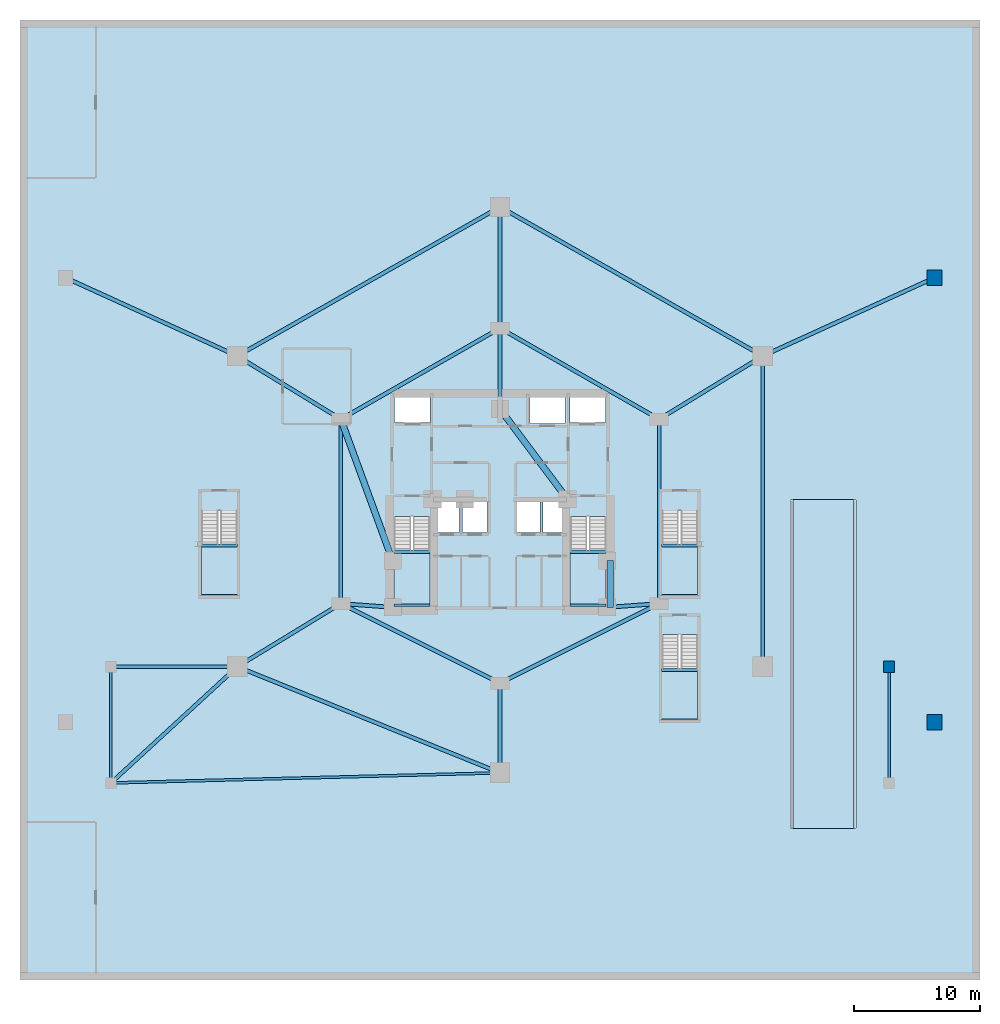
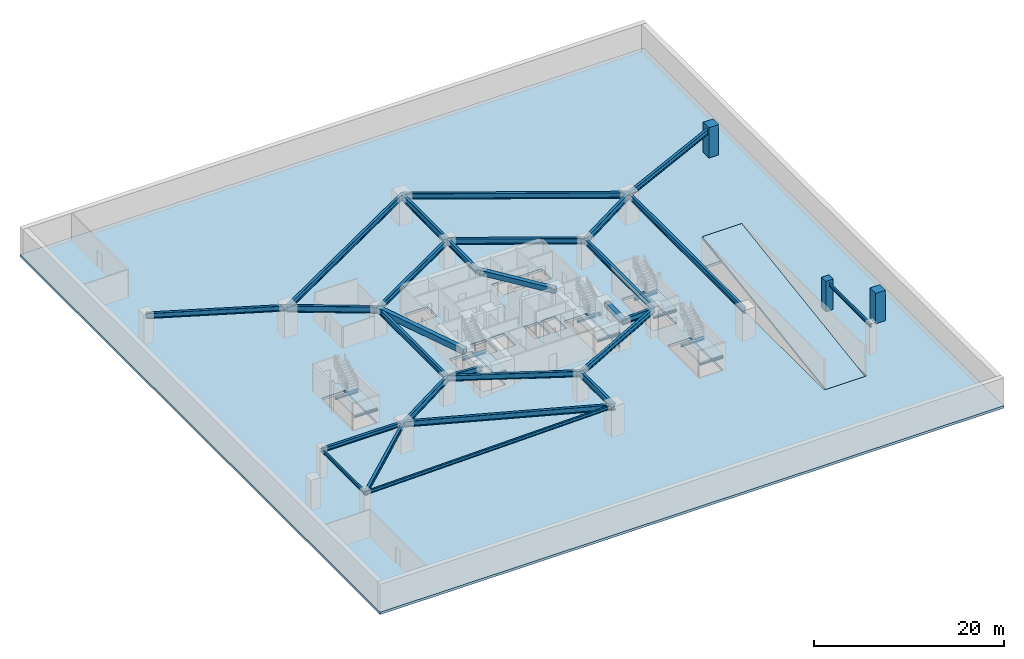
# One storey, part 4 of 12: 38 beams, 7 slabs, 3 columns, 5 elements without a shape of their own.
"""IFC4 building model written with IfcOpenShell, lengths in metres."""

from ifc_helpers import new_model, si_unit, direction, frame, origin, origin_2d, place, context, subcontext, project, spatial, polyline, rectangle, i_section, outline, extrude, material, layer, layer_set, material_profile, profile_set, type_object, element, aggregate, save


model = new_model("IFC4")

# Units and contexts
model_context = context("Model", 3, precision=1e-05, world=origin(), true_north=direction((0.0, 1.0)))
body_context = subcontext(model_context, "Body", "Model", "MODEL_VIEW")
ifc_project = project(units=[si_unit("LENGTHUNIT", "METRE"), si_unit("AREAUNIT", "SQUARE_METRE"), si_unit("VOLUMEUNIT", "CUBIC_METRE"), si_unit("PLANEANGLEUNIT", "RADIAN"), si_unit("MASSUNIT", "GRAM", prefix="KILO")], contexts=[model_context])

# Site, building, storey
site_placement = place(None, origin())
site = spatial("IfcSite", under=ifc_project, at=site_placement, CompositionType="ELEMENT")
building_placement = place(site_placement, origin())
building = spatial("IfcBuilding", under=site, at=building_placement, Name="Miruveldt Soraemaru", CompositionType="ELEMENT")
storey_placement = place(building_placement, frame((0.0, 0.0, -7.800048828125)))
storey = spatial("IfcBuildingStorey", under=building, at=storey_placement, Name="B2", CompositionType="ELEMENT", Elevation=-7.800048828125)

# Columns
ifc_material_1 = material(Name="Concrete C70/85 (70 MPa)", Category="concrete")
ifc_material_profile_1 = material_profile(ifc_material_1, rectangle(XDim=1.199951171875, YDim=1.199951171875, at=origin_2d()), Name="Concrete C70/85 (70 MPa)", Category="concrete")
ifc_profile_set_1 = profile_set([ifc_material_profile_1], Name="Concrete C70/85 (70 MPa)")
column_type_1 = type_object("IfcColumnType", Name="COL-CORE-1200", PredefinedType="COLUMN", material=ifc_profile_set_1)
for number, where, z_axis, x_axis, name in (
    (1, (78.39990234375, 26.39990234375, 0.0), (0.0, 0.0, 1.0), (1.0, 0.0, 0.0), "B2 Structural Column BC3"),
    (2, (78.39990234375, 61.60009765625, 0.0), (0.0, 0.0, 1.0), (1.0, 0.0, 0.0), "B2 Structural Column BC4"),
):
    element("IfcColumn", number, at=place(storey_placement, frame(where, z_axis=z_axis, x_axis=x_axis)), inside=storey, type_object=column_type_1, Name=name, PredefinedType="COLUMN", context=body_context, shape_type="SweptSolid", body=[
        extrude(rectangle(XDim=1.199951171875, YDim=1.199951171875, at=origin_2d()), origin(), (0.0, 0.0, 1.0), 3.900146484375),
    ])
ifc_material_2 = material(Name="Concrete C50/60 (50 MPa)", Category="concrete")
ifc_material_profile_2 = material_profile(ifc_material_2, rectangle(XDim=0.89990234375, YDim=0.89990234375, at=origin_2d()), Name="Concrete C50/60 (50 MPa)", Category="concrete")
ifc_profile_set_2 = profile_set([ifc_material_profile_2], Name="Concrete C50/60 (50 MPa)")
column_type_2 = type_object("IfcColumnType", Name="COL-CORE-900", PredefinedType="COLUMN", material=ifc_profile_set_2)
column_placement = place(storey_placement, frame((74.800048828125, 30.800048828125, 0.0), z_axis=(0.0, 0.0, 1.0), x_axis=(1.0, 0.0, 0.0)))
element("IfcColumn", 3, at=column_placement, inside=storey, type_object=column_type_2, Name="B2 Structural Column PF04", PredefinedType="COLUMN", context=body_context, shape_type="SweptSolid", body=[
    extrude(rectangle(XDim=0.89990234375, YDim=0.89990234375, at=origin_2d()), origin(), (0.0, 0.0, 1.0), 3.900146484375),
])

# Beams
ifc_material_profile_3 = material_profile(ifc_material_2, rectangle(XDim=0.5, YDim=0.64990234375, at=origin_2d()), Name="Concrete C50/60 (50 MPa)", Category="concrete")
ifc_profile_set_3 = profile_set([ifc_material_profile_3], Name="Concrete C50/60 (50 MPa)")
beam_type_1 = type_object("IfcBeamType", Name="BM-RC-500x650", PredefinedType="BEAM", material=ifc_profile_set_3)
beam_1_placement = place(storey_placement, frame((52.72998046875, 35.5, 3.255126953125), z_axis=(0.0, 1.0, 0.0), x_axis=(-1.0, 0.0, 0.0)))
element("IfcBeam", 4, at=beam_1_placement, inside=storey, type_object=beam_type_1, Name="B2 Core Tie Beam 3", PredefinedType="BEAM", context=body_context, shape_type="SweptSolid", body=[
    extrude(rectangle(XDim=0.5, YDim=0.64990234375, at=origin_2d()), origin(), (0.0, 0.0, 1.0), 3.699951171875),
])
beam_2_placement = place(storey_placement, frame((49.35009765625, 44.050048828125, 3.255126953125), z_axis=(-0.599116023999, 0.800662219533, 0.0), x_axis=(-0.800662219533, -0.599116023999, 0.0)))
element("IfcBeam", 5, at=beam_2_placement, inside=storey, type_object=beam_type_1, Name="B2 Core Tie Beam 5", PredefinedType="BEAM", context=body_context, shape_type="SweptSolid", body=[
    extrude(rectangle(XDim=0.5, YDim=0.64990234375, at=origin_2d()), origin(), (0.0, 0.0, 1.0), 8.929931640625),
])
ifc_material_3 = material(Name="Concrete C40/50 (40 MPa)", Category="concrete")
ifc_material_profile_4 = material_profile(ifc_material_3, rectangle(XDim=0.5, YDim=0.75, at=origin_2d()), Name="Concrete C40/50 (40 MPa)", Category="concrete")
ifc_profile_set_4 = profile_set([ifc_material_profile_4], Name="Concrete C40/50 (40 MPa)")
beam_type_2 = type_object("IfcBeamType", Name="BM-RC-500x750", PredefinedType="LINTEL", material=ifc_profile_set_4)
beam_3_placement = place(storey_placement, frame((31.39990234375, 50.39990234375, 3.205078125), z_axis=(0.343770424598, -0.939053723262, 0.0), x_axis=(0.939053723262, 0.343770424598, 0.0)))
element("IfcBeam", 6, at=beam_3_placement, inside=storey, type_object=beam_type_2, Name="B2 West Lobby Lintel", PredefinedType="LINTEL", context=body_context, shape_type="SweptSolid", body=[
    extrude(rectangle(XDim=0.5, YDim=0.75, at=origin_2d()), origin(), (0.0, 0.0, 1.0), 11.9267578125),
])
ifc_material_4 = material(Name="Steel SM355 (355 MPa)", Category="steel")
ifc_material_profile_5 = material_profile(ifc_material_4, i_section(OverallWidth=0.199951171875, OverallDepth=0.39990234375, WebThickness=0.008056640625, FlangeThickness=0.012939453125, FilletRadius=0.01611328125, at=origin_2d()), Name="Steel SM355 (355 MPa)", Category="steel")
ifc_profile_set_5 = profile_set([ifc_material_profile_5], Name="Steel SM355 (355 MPa)")
beam_type_3 = type_object("IfcBeamType", Name="BM-ST-H400", PredefinedType="JOIST", material=ifc_profile_set_5)
beam_4_placement = place(storey_placement, frame((13.199951171875, 30.800048828125, 3.380126953125), z_axis=(0.0, -1.0, 0.0), x_axis=(1.0, 0.0, 0.0)))
element("IfcBeam", 7, at=beam_4_placement, inside=storey, type_object=beam_type_3, Name="B2 Podium West Bay Edge Beam", PredefinedType="JOIST", context=body_context, shape_type="SweptSolid", body=[
    extrude(i_section(OverallWidth=0.199951171875, OverallDepth=0.39990234375, WebThickness=0.008056640625, FlangeThickness=0.012939453125, FilletRadius=0.01611328125, at=origin_2d()), origin(), (0.0, 0.0, 1.0), 9.199951171875),
])
beam_5_placement = place(storey_placement, frame((13.199951171875, 21.60009765625, 3.380126953125), z_axis=(0.999663011165, 0.025958892686, 0.0), x_axis=(-0.025958892686, 0.999663011165, 0.0)))
element("IfcBeam", 8, at=beam_5_placement, inside=storey, type_object=beam_type_3, Name="B2 Podium South-West Tie Beam", PredefinedType="JOIST", context=body_context, shape_type="SweptSolid", body=[
    extrude(i_section(OverallWidth=0.199951171875, OverallDepth=0.39990234375, WebThickness=0.008056640625, FlangeThickness=0.012939453125, FilletRadius=0.01611328125, at=origin_2d()), origin(), (0.0, 0.0, 1.0), 30.810546875),
])
beam_6_placement = place(storey_placement, frame((74.800048828125, 30.800048828125, 3.380126953125), z_axis=(0.0, -1.0, 0.0), x_axis=(1.0, 0.0, 0.0)))
element("IfcBeam", 9, at=beam_6_placement, inside=storey, type_object=beam_type_3, Name="B2 Podium East Bay Edge Beam", PredefinedType="JOIST", context=body_context, shape_type="SweptSolid", body=[
    extrude(i_section(OverallWidth=0.199951171875, OverallDepth=0.39990234375, WebThickness=0.008056640625, FlangeThickness=0.012939453125, FilletRadius=0.01611328125, at=origin_2d()), origin(), (0.0, 0.0, 1.0), 9.199951171875),
])
ifc_material_profile_6 = material_profile(ifc_material_4, i_section(OverallWidth=0.300048828125, OverallDepth=0.488037109375, WebThickness=0.010986328125, FlangeThickness=0.01806640625, FilletRadius=0.02587890625, at=origin_2d()), Name="Steel SM355 (355 MPa)", Category="steel")
ifc_profile_set_6 = profile_set([ifc_material_profile_6], Name="Steel SM355 (355 MPa)")
beam_type_4 = type_object("IfcBeamType", Name="BM-ST-H488", PredefinedType="BEAM", material=ifc_profile_set_6)
beam_7_placement = place(storey_placement, frame((23.199951171875, 30.800048828125, 3.3359375), z_axis=(-1.0, 0.0, 0.0), x_axis=(0.0, -1.0, 0.0)))
element("IfcBeam", 10, at=beam_7_placement, inside=storey, type_object=beam_type_4, Name="B2 Podium West Bay Girder 1", PredefinedType="BEAM", context=body_context, shape_type="SweptSolid", body=[
    extrude(i_section(OverallWidth=0.300048828125, OverallDepth=0.488037109375, WebThickness=0.010986328125, FlangeThickness=0.01806640625, FilletRadius=0.02587890625, at=origin_2d()), origin(), (0.0, 0.0, 1.0), 10.0),
])
beam_8_placement = place(storey_placement, frame((13.199951171875, 21.60009765625, 3.3359375), z_axis=(0.735932802242, 0.677054584641, 0.0), x_axis=(-0.677054584641, 0.735932802242, 0.0)))
element("IfcBeam", 11, at=beam_8_placement, inside=storey, type_object=beam_type_4, Name="B2 Podium West Bay Tie Girder", PredefinedType="BEAM", context=body_context, shape_type="SweptSolid", body=[
    extrude(i_section(OverallWidth=0.300048828125, OverallDepth=0.488037109375, WebThickness=0.010986328125, FlangeThickness=0.01806640625, FilletRadius=0.02587890625, at=origin_2d()), origin(), (0.0, 0.0, 1.0), 13.588134765625),
])
ifc_material_profile_7 = material_profile(ifc_material_4, i_section(OverallWidth=0.300048828125, OverallDepth=0.64990234375, WebThickness=0.012939453125, FlangeThickness=0.02197265625, FilletRadius=0.02587890625, at=origin_2d()), Name="Steel SM355 (355 MPa)", Category="steel")
ifc_profile_set_7 = profile_set([ifc_material_profile_7], Name="Steel SM355 (355 MPa)")
beam_type_5 = type_object("IfcBeamType", Name="BM-ST-H650", PredefinedType="BEAM", material=ifc_profile_set_7)
for number, where, z_axis, x_axis, name in (
    (12, (23.199951171875, 55.39990234375, 3.255126953125), (-0.909901047337, 0.414825365733, 0.0), (-0.414825365733, -0.909901047337, 0.0), "B2 Basement Outer Girder 2"),
    (13, (64.800048828125, 55.39990234375, 3.255126953125), (0.909901047337, 0.414825365733, 0.0), (-0.414825365733, 0.909901047337, 0.0), "B2 Basement Outer Girder 4"),
):
    element("IfcBeam", number, at=place(storey_placement, frame(where, z_axis=z_axis, x_axis=x_axis)), inside=storey, type_object=beam_type_5, Name=name, PredefinedType="BEAM", context=body_context, shape_type="SweptSolid", body=[
        extrude(i_section(OverallWidth=0.300048828125, OverallDepth=0.64990234375, WebThickness=0.012939453125, FlangeThickness=0.02197265625, FilletRadius=0.02587890625, at=origin_2d()), origin(), (0.0, 0.0, 1.0), 14.946533203125),
    ])
ifc_material_profile_8 = material_profile(ifc_material_4, i_section(OverallWidth=0.300048828125, OverallDepth=0.699951171875, WebThickness=0.012939453125, FlangeThickness=0.02392578125, FilletRadius=0.028076171875, at=origin_2d()), Name="Steel SM355 (355 MPa)", Category="steel")
ifc_profile_set_8 = profile_set([ifc_material_profile_8], Name="Steel SM355 (355 MPa)")
beam_type_6 = type_object("IfcBeamType", Name="BM-ST-H700", PredefinedType="BEAM", material=ifc_profile_set_8)
beam_9_placement = place(storey_placement, frame((44.0, 57.60009765625, 3.22998046875), z_axis=(0.868239001029, -0.496146185203, 0.0), x_axis=(0.496146185203, 0.868239001029, 0.0)))
element("IfcBeam", 14, at=beam_9_placement, inside=storey, type_object=beam_type_6, Name="B2 Inner Ring Girder 1", PredefinedType="BEAM", context=body_context, shape_type="SweptSolid", body=[
    extrude(i_section(OverallWidth=0.300048828125, OverallDepth=0.699951171875, WebThickness=0.012939453125, FlangeThickness=0.02392578125, FilletRadius=0.028076171875, at=origin_2d()), origin(), (0.0, 0.0, 1.0), 14.51220703125),
])
beam_10_placement = place(storey_placement, frame((44.0, 51.199951171875, 3.22998046875), z_axis=(0.0, 1.0, 0.0), x_axis=(-1.0, 0.0, 0.0)))
element("IfcBeam", 15, at=beam_10_placement, inside=storey, type_object=beam_type_6, Name="B2 Core-to-Inner Radial Girder 1", PredefinedType="BEAM", context=body_context, shape_type="SweptSolid", body=[
    extrude(i_section(OverallWidth=0.300048828125, OverallDepth=0.699951171875, WebThickness=0.012939453125, FlangeThickness=0.02392578125, FilletRadius=0.028076171875, at=origin_2d()), origin(), (0.0, 0.0, 1.0), 6.400146484375),
])
beam_11_placement = place(storey_placement, frame((56.60009765625, 50.39990234375, 3.22998046875), z_axis=(0.0, -1.0, 0.0), x_axis=(1.0, 0.0, 0.0)))
element("IfcBeam", 16, at=beam_11_placement, inside=storey, type_object=beam_type_6, Name="B2 Inner Ring Girder 2", PredefinedType="BEAM", context=body_context, shape_type="SweptSolid", body=[
    extrude(i_section(OverallWidth=0.300048828125, OverallDepth=0.699951171875, WebThickness=0.012939453125, FlangeThickness=0.02392578125, FilletRadius=0.028076171875, at=origin_2d()), origin(), (0.0, 0.0, 1.0), 14.599853515625),
])
beam_12_placement = place(storey_placement, frame((56.60009765625, 35.800048828125, 3.22998046875), z_axis=(-0.894427191, -0.4472135955, 0.0), x_axis=(0.4472135955, -0.894427191, 0.0)))
element("IfcBeam", 17, at=beam_12_placement, inside=storey, type_object=beam_type_6, Name="B2 Inner Ring Girder 3", PredefinedType="BEAM", context=body_context, shape_type="SweptSolid", body=[
    extrude(i_section(OverallWidth=0.300048828125, OverallDepth=0.699951171875, WebThickness=0.012939453125, FlangeThickness=0.02392578125, FilletRadius=0.028076171875, at=origin_2d()), origin(), (0.0, 0.0, 1.0), 14.08740234375),
])
beam_13_placement = place(storey_placement, frame((52.5, 35.5, 3.22998046875), z_axis=(0.997332985605, 0.072985723431, 0.0), x_axis=(-0.072985723431, 0.997332985605, 0.0)))
element("IfcBeam", 18, at=beam_13_placement, inside=storey, type_object=beam_type_6, Name="B2 Core-to-Inner Radial Girder 3", PredefinedType="BEAM", context=body_context, shape_type="SweptSolid", body=[
    extrude(i_section(OverallWidth=0.300048828125, OverallDepth=0.699951171875, WebThickness=0.012939453125, FlangeThickness=0.02392578125, FilletRadius=0.028076171875, at=origin_2d()), origin(), (0.0, 0.0, 1.0), 4.111083984375),
])
beam_14_placement = place(storey_placement, frame((44.0, 29.5, 3.22998046875), z_axis=(-0.894427191, 0.4472135955, 0.0), x_axis=(-0.4472135955, -0.894427191, 0.0)))
element("IfcBeam", 19, at=beam_14_placement, inside=storey, type_object=beam_type_6, Name="B2 Inner Ring Girder 4", PredefinedType="BEAM", context=body_context, shape_type="SweptSolid", body=[
    extrude(i_section(OverallWidth=0.300048828125, OverallDepth=0.699951171875, WebThickness=0.012939453125, FlangeThickness=0.02392578125, FilletRadius=0.028076171875, at=origin_2d()), origin(), (0.0, 0.0, 1.0), 14.08740234375),
])
beam_15_placement = place(storey_placement, frame((31.39990234375, 35.800048828125, 3.22998046875), z_axis=(0.0, 1.0, 0.0), x_axis=(-1.0, 0.0, 0.0)))
element("IfcBeam", 20, at=beam_15_placement, inside=storey, type_object=beam_type_6, Name="B2 Inner Ring Girder 5", PredefinedType="BEAM", context=body_context, shape_type="SweptSolid", body=[
    extrude(i_section(OverallWidth=0.300048828125, OverallDepth=0.699951171875, WebThickness=0.012939453125, FlangeThickness=0.02392578125, FilletRadius=0.028076171875, at=origin_2d()), origin(), (0.0, 0.0, 1.0), 14.599853515625),
])
beam_16_placement = place(storey_placement, frame((35.5, 35.5, 3.22998046875), z_axis=(-0.997332985605, 0.072985723431, 0.0), x_axis=(-0.072985723431, -0.997332985605, 0.0)))
element("IfcBeam", 21, at=beam_16_placement, inside=storey, type_object=beam_type_6, Name="B2 Core-to-Inner Radial Girder 5", PredefinedType="BEAM", context=body_context, shape_type="SweptSolid", body=[
    extrude(i_section(OverallWidth=0.300048828125, OverallDepth=0.699951171875, WebThickness=0.012939453125, FlangeThickness=0.02392578125, FilletRadius=0.028076171875, at=origin_2d()), origin(), (0.0, 0.0, 1.0), 4.111083984375),
])
beam_17_placement = place(storey_placement, frame((31.39990234375, 50.39990234375, 3.22998046875), z_axis=(0.868239001029, 0.496146185203, 0.0), x_axis=(-0.496146185203, 0.868239001029, 0.0)))
element("IfcBeam", 22, at=beam_17_placement, inside=storey, type_object=beam_type_6, Name="B2 Inner Ring Girder 6", PredefinedType="BEAM", context=body_context, shape_type="SweptSolid", body=[
    extrude(i_section(OverallWidth=0.300048828125, OverallDepth=0.699951171875, WebThickness=0.012939453125, FlangeThickness=0.02392578125, FilletRadius=0.028076171875, at=origin_2d()), origin(), (0.0, 0.0, 1.0), 14.51220703125),
])
beam_18_placement = place(storey_placement, frame((44.0, 67.199951171875, 3.22998046875), z_axis=(0.869782551993, -0.493435215858, 0.0), x_axis=(0.493435215858, 0.869782551993, 0.0)))
element("IfcBeam", 23, at=beam_18_placement, inside=storey, type_object=beam_type_6, Name="B2 Podium Ring Girder 1", PredefinedType="BEAM", context=body_context, shape_type="SweptSolid", body=[
    extrude(i_section(OverallWidth=0.300048828125, OverallDepth=0.699951171875, WebThickness=0.012939453125, FlangeThickness=0.02392578125, FilletRadius=0.028076171875, at=origin_2d()), origin(), (0.0, 0.0, 1.0), 23.9140625),
])
beam_19_placement = place(storey_placement, frame((64.800048828125, 55.39990234375, 3.22998046875), z_axis=(0.0, -1.0, 0.0), x_axis=(1.0, 0.0, 0.0)))
element("IfcBeam", 24, at=beam_19_placement, inside=storey, type_object=beam_type_6, Name="B2 Podium Ring Girder 2", PredefinedType="BEAM", context=body_context, shape_type="SweptSolid", body=[
    extrude(i_section(OverallWidth=0.300048828125, OverallDepth=0.699951171875, WebThickness=0.012939453125, FlangeThickness=0.02392578125, FilletRadius=0.028076171875, at=origin_2d()), origin(), (0.0, 0.0, 1.0), 24.599853515625),
])
beam_20_placement = place(storey_placement, frame((44.0, 22.39990234375, 3.22998046875), z_axis=(-0.927239874954, 0.374467908231, 0.0), x_axis=(-0.374467908231, -0.927239874954, 0.0)))
element("IfcBeam", 25, at=beam_20_placement, inside=storey, type_object=beam_type_6, Name="B2 Podium Ring Girder 4", PredefinedType="BEAM", context=body_context, shape_type="SweptSolid", body=[
    extrude(i_section(OverallWidth=0.300048828125, OverallDepth=0.699951171875, WebThickness=0.012939453125, FlangeThickness=0.02392578125, FilletRadius=0.028076171875, at=origin_2d()), origin(), (0.0, 0.0, 1.0), 22.43212890625),
])
beam_21_placement = place(storey_placement, frame((23.199951171875, 55.39990234375, 3.22998046875), z_axis=(0.869782551993, 0.493435215858, 0.0), x_axis=(-0.493435215858, 0.869782551993, 0.0)))
element("IfcBeam", 26, at=beam_21_placement, inside=storey, type_object=beam_type_6, Name="B2 Podium Ring Girder 6", PredefinedType="BEAM", context=body_context, shape_type="SweptSolid", body=[
    extrude(i_section(OverallWidth=0.300048828125, OverallDepth=0.699951171875, WebThickness=0.012939453125, FlangeThickness=0.02392578125, FilletRadius=0.028076171875, at=origin_2d()), origin(), (0.0, 0.0, 1.0), 23.9140625),
])
ifc_material_5 = material(Name="Steel S460 (460 MPa)", Category="steel")
ifc_material_profile_9 = material_profile(ifc_material_5, i_section(OverallWidth=0.300048828125, OverallDepth=0.800048828125, WebThickness=0.013916015625, FlangeThickness=0.02587890625, FilletRadius=0.028076171875, at=origin_2d()), Name="Steel S460 (460 MPa)", Category="steel")
ifc_profile_set_9 = profile_set([ifc_material_profile_9], Name="Steel S460 (460 MPa)")
beam_type_7 = type_object("IfcBeamType", Name="BM-ST-H800", PredefinedType="BEAM", material=ifc_profile_set_9)
beam_22_placement = place(storey_placement, frame((44.0, 57.60009765625, 3.179931640625), z_axis=(0.0, 1.0, 0.0), x_axis=(-1.0, 0.0, 0.0)))
element("IfcBeam", 27, at=beam_22_placement, inside=storey, type_object=beam_type_7, Name="B2 Podium Radial Girder 1", PredefinedType="BEAM", context=body_context, shape_type="SweptSolid", body=[
    extrude(i_section(OverallWidth=0.300048828125, OverallDepth=0.800048828125, WebThickness=0.013916015625, FlangeThickness=0.02587890625, FilletRadius=0.028076171875, at=origin_2d()), origin(), (0.0, 0.0, 1.0), 9.599853515625),
])
beam_23_placement = place(storey_placement, frame((56.60009765625, 50.39990234375, 3.179931640625), z_axis=(0.853794797843, 0.520609684098, 0.0), x_axis=(-0.520609684098, 0.853794797843, 0.0)))
element("IfcBeam", 28, at=beam_23_placement, inside=storey, type_object=beam_type_7, Name="B2 Podium Radial Girder 2", PredefinedType="BEAM", context=body_context, shape_type="SweptSolid", body=[
    extrude(i_section(OverallWidth=0.300048828125, OverallDepth=0.800048828125, WebThickness=0.013916015625, FlangeThickness=0.02587890625, FilletRadius=0.028076171875, at=origin_2d()), origin(), (0.0, 0.0, 1.0), 9.60400390625),
])
beam_24_placement = place(storey_placement, frame((44.0, 29.5, 3.179931640625), z_axis=(0.0, -1.0, 0.0), x_axis=(1.0, 0.0, 0.0)))
element("IfcBeam", 29, at=beam_24_placement, inside=storey, type_object=beam_type_7, Name="B2 Podium Radial Girder 4", PredefinedType="BEAM", context=body_context, shape_type="SweptSolid", body=[
    extrude(i_section(OverallWidth=0.300048828125, OverallDepth=0.800048828125, WebThickness=0.013916015625, FlangeThickness=0.02587890625, FilletRadius=0.028076171875, at=origin_2d()), origin(), (0.0, 0.0, 1.0), 7.10009765625),
])
for number, where, z_axis, x_axis, name in (
    (30, (31.39990234375, 35.800048828125, 3.179931640625), (-0.853794797843, -0.520609684098, 0.0), (0.520609684098, -0.853794797843, 0.0), "B2 Podium Radial Girder 5"),
    (31, (31.39990234375, 50.39990234375, 3.179931640625), (-0.853794797843, 0.520609684098, 0.0), (-0.520609684098, -0.853794797843, 0.0), "B2 Podium Radial Girder 6"),
):
    element("IfcBeam", number, at=place(storey_placement, frame(where, z_axis=z_axis, x_axis=x_axis)), inside=storey, type_object=beam_type_7, Name=name, PredefinedType="BEAM", context=body_context, shape_type="SweptSolid", body=[
        extrude(i_section(OverallWidth=0.300048828125, OverallDepth=0.800048828125, WebThickness=0.013916015625, FlangeThickness=0.02587890625, FilletRadius=0.028076171875, at=origin_2d()), origin(), (0.0, 0.0, 1.0), 9.60400390625),
    ])
ifc_material_profile_10 = material_profile(ifc_material_4, i_section(OverallWidth=0.199951171875, OverallDepth=0.199951171875, WebThickness=0.008056640625, FlangeThickness=0.011962890625, FilletRadius=0.012939453125, at=origin_2d()), Name="Steel SM355 (355 MPa)", Category="steel")
ifc_profile_set_10 = profile_set([ifc_material_profile_10], Name="Steel SM355 (355 MPa)")
beam_type_8 = type_object("IfcBeamType", Name="BM-ST-LND200", PredefinedType="BEAM", material=ifc_profile_set_10)
for number, where, z_axis, x_axis, name in (
    (32, (35.60009765625, 35.64990234375, 1.650146484375), (1.0, 0.0, 0.0), (0.0, 1.0, 0.0), "B2 ST1 Landing End Beam 1B"),
    (33, (49.550048828125, 35.64990234375, 1.650146484375), (1.0, 0.0, 0.0), (0.0, 1.0, 0.0), "B2 ST2 Landing End Beam 1B"),
    (34, (20.35009765625, 36.39990234375, 1.650146484375), (1.0, 0.0, 0.0), (0.0, 1.0, 0.0), "B2 ST3 Landing End Beam 1B"),
    (35, (56.800048828125, 36.39990234375, 1.650146484375), (1.0, 0.0, 0.0), (0.0, 1.0, 0.0), "B2 ST4 Landing End Beam 1B"),
    (36, (56.800048828125, 26.550048828125, 1.650146484375), (1.0, 0.0, 0.0), (0.0, 1.0, 0.0), "B2 ST5 Landing End Beam 1B"),
):
    element("IfcBeam", number, at=place(storey_placement, frame(where, z_axis=z_axis, x_axis=x_axis)), inside=storey, type_object=beam_type_8, Name=name, PredefinedType="BEAM", context=body_context, shape_type="SweptSolid", body=[
        extrude(i_section(OverallWidth=0.199951171875, OverallDepth=0.199951171875, WebThickness=0.008056640625, FlangeThickness=0.011962890625, FilletRadius=0.012939453125, at=origin_2d()), origin(), (0.0, 0.0, 1.0), 2.849853515625),
    ])
ifc_material_profile_11 = material_profile(ifc_material_4, i_section(OverallWidth=0.25, OverallDepth=0.25, WebThickness=0.009033203125, FlangeThickness=0.013916015625, FilletRadius=0.01611328125, at=origin_2d()), Name="Steel SM355 (355 MPa)", Category="steel")
ifc_profile_set_11 = profile_set([ifc_material_profile_11], Name="Steel SM355 (355 MPa)")
beam_type_9 = type_object("IfcBeamType", Name="BM-ST-LND250", PredefinedType="BEAM", material=ifc_profile_set_11)
for number, where, z_axis, x_axis, name in (
    (37, (35.60009765625, 39.89990234375, 1.625), (1.0, 0.0, 0.0), (0.0, 1.0, 0.0), "B2 ST1 Landing Support Beam 1A"),
    (38, (49.550048828125, 39.89990234375, 1.625), (1.0, 0.0, 0.0), (0.0, 1.0, 0.0), "B2 ST2 Landing Support Beam 1A"),
    (39, (20.35009765625, 40.39990234375, 1.625), (1.0, 0.0, 0.0), (0.0, 1.0, 0.0), "B2 ST3 Landing Support Beam 1A"),
    (40, (56.800048828125, 40.39990234375, 1.625), (1.0, 0.0, 0.0), (0.0, 1.0, 0.0), "B2 ST4 Landing Support Beam 1A"),
    (41, (56.800048828125, 30.550048828125, 1.625), (1.0, 0.0, 0.0), (0.0, 1.0, 0.0), "B2 ST5 Landing Support Beam 1A"),
):
    element("IfcBeam", number, at=place(storey_placement, frame(where, z_axis=z_axis, x_axis=x_axis)), inside=storey, type_object=beam_type_9, Name=name, PredefinedType="BEAM", context=body_context, shape_type="SweptSolid", body=[
        extrude(i_section(OverallWidth=0.25, OverallDepth=0.25, WebThickness=0.009033203125, FlangeThickness=0.013916015625, FilletRadius=0.01611328125, at=origin_2d()), origin(), (0.0, 0.0, 1.0), 2.849853515625),
    ])

# Slab
ifc_layer_1 = layer(ifc_material_2, 0.320068359375, Name="Concrete C50/60 (50 MPa)", Category="concrete")
ifc_layer_set_1 = layer_set([ifc_layer_1], Name="Concrete C50/60 (50 MPa)")
slab_type_1 = type_object("IfcSlabType", Name="SLAB-BSMT-320", PredefinedType="FLOOR", material=ifc_layer_set_1)
slab_1_placement = place(storey_placement, frame((0.0, 0.0, -0.320068359375)))
element("IfcSlab", 42, at=slab_1_placement, inside=storey, type_object=slab_type_1, Name="B2 Structural Floor Slab", PredefinedType="FLOOR", context=body_context, shape_type="SweptSolid", body=[
    extrude(outline(polyline([(6.0, 82.0), (82.0, 82.0), (82.0, 6.0), (6.0, 6.0), (6.0, 82.0)]), holes=[polyline([(35.614990234375, 35.6650390625), (38.43505859375, 35.6650390625), (38.43505859375, 42.68505859375), (35.614990234375, 42.68505859375), (35.614990234375, 35.6650390625)]), polyline([(20.364990234375, 43.18505859375), (20.364990234375, 36.4150390625), (23.18505859375, 36.4150390625), (23.18505859375, 43.18505859375), (20.364990234375, 43.18505859375)]), polyline([(38.81494140625, 41.4150390625), (40.764892578125, 41.4150390625), (40.764892578125, 43.885009765625), (38.81494140625, 43.885009765625), (38.81494140625, 41.4150390625)]), polyline([(42.965087890625, 41.4150390625), (42.965087890625, 43.885009765625), (41.034912109375, 43.885009765625), (41.034912109375, 41.4150390625), (42.965087890625, 41.4150390625)]), polyline([(45.364990234375, 41.4150390625), (47.1650390625, 41.4150390625), (47.1650390625, 43.885009765625), (45.364990234375, 43.885009765625), (45.364990234375, 41.4150390625)]), polyline([(35.635009765625, 50.135009765625), (38.445068359375, 50.135009765625), (38.445068359375, 52.205078125), (35.635009765625, 52.205078125), (35.635009765625, 50.135009765625)]), polyline([(49.135009765625, 50.06494140625), (49.135009765625, 52.3349609375), (46.364990234375, 52.3349609375), (46.364990234375, 50.06494140625), (49.135009765625, 50.06494140625)]), polyline([(56.81494140625, 33.3349609375), (56.81494140625, 26.56494140625), (59.635009765625, 26.56494140625), (59.635009765625, 33.3349609375), (56.81494140625, 33.3349609375)]), polyline([(67.014892578125, 18.014892578125), (72.18505859375, 18.014892578125), (72.18505859375, 43.985107421875), (67.014892578125, 43.985107421875), (67.014892578125, 18.014892578125)]), polyline([(49.56494140625, 42.68505859375), (49.56494140625, 35.6650390625), (52.385009765625, 35.6650390625), (52.385009765625, 42.68505859375), (49.56494140625, 42.68505859375)]), polyline([(56.81494140625, 43.18505859375), (56.81494140625, 36.4150390625), (59.635009765625, 36.4150390625), (59.635009765625, 43.18505859375), (56.81494140625, 43.18505859375)]), polyline([(47.39501953125, 41.4150390625), (49.18505859375, 41.4150390625), (49.18505859375, 43.885009765625), (47.39501953125, 43.885009765625), (47.39501953125, 41.4150390625)]), polyline([(49.554931640625, 50.135009765625), (52.364990234375, 50.135009765625), (52.364990234375, 52.205078125), (49.554931640625, 52.205078125), (49.554931640625, 50.135009765625)])]), origin(), (0.0, 0.0, 1.0), 0.320068359375),
])

# Stair, slab
stair_type_1 = type_object("IfcStairType", Name="STAIR-DL-390", PredefinedType="HALF_TURN_STAIR", material=ifc_material_3)
stair_1_placement = place(storey_placement, origin())
stair_1 = element("IfcStair", 43, at=stair_1_placement, inside=storey, type_object=stair_type_1, Name="B2 Protected Exit Stair ST-1", PredefinedType="HALF_TURN_STAIR")
ifc_layer_2 = layer(ifc_material_3, 0.199951171875, Name="Concrete C40/50 (40 MPa)", Category="concrete")
ifc_layer_set_2 = layer_set([ifc_layer_2], Name="Concrete C40/50 (40 MPa)")
slab_type_2 = type_object("IfcSlabType", Name="SLAB-LAND-200", PredefinedType="LANDING", material=ifc_layer_set_2)
slab_2_placement = place(storey_placement, frame((0.0, 0.0, 1.75)))
slab_2 = element("IfcSlab", 44, at=slab_2_placement, type_object=slab_type_2, Name="ST-1 landing 1", PredefinedType="LANDING", context=body_context, shape_type="SweptSolid", body=[
    extrude(outline(polyline([(35.60009765625, 39.91796875), (35.60009765625, 35.64990234375), (38.449951171875, 35.64990234375), (38.449951171875, 39.91796875), (35.60009765625, 39.91796875)])), origin(), (0.0, 0.0, 1.0), 0.199951171875),
])
aggregate(stair_1, [slab_2])

stair_2_placement = place(storey_placement, origin())
stair_2 = element("IfcStair", 45, at=stair_2_placement, inside=storey, type_object=stair_type_1, Name="B2 Protected Exit Stair ST-2", PredefinedType="HALF_TURN_STAIR")
slab_3_placement = place(storey_placement, frame((0.0, 0.0, 1.75)))
slab_3 = element("IfcSlab", 46, at=slab_3_placement, type_object=slab_type_2, Name="ST-2 landing 1", PredefinedType="LANDING", context=body_context, shape_type="SweptSolid", body=[
    extrude(outline(polyline([(49.550048828125, 39.91796875), (49.550048828125, 35.64990234375), (52.39990234375, 35.64990234375), (52.39990234375, 39.91796875), (49.550048828125, 39.91796875)])), origin(), (0.0, 0.0, 1.0), 0.199951171875),
])
aggregate(stair_2, [slab_3])

stair_3_placement = place(storey_placement, origin())
stair_3 = element("IfcStair", 47, at=stair_3_placement, inside=storey, type_object=stair_type_1, Name="B2 Podium Protected Exit Stair ST-3", PredefinedType="HALF_TURN_STAIR")
slab_4_placement = place(storey_placement, frame((0.0, 0.0, 1.75)))
slab_4 = element("IfcSlab", 48, at=slab_4_placement, type_object=slab_type_2, Name="ST-3 landing 1", PredefinedType="LANDING", context=body_context, shape_type="SweptSolid", body=[
    extrude(outline(polyline([(20.35009765625, 40.41796875), (20.35009765625, 36.39990234375), (23.199951171875, 36.39990234375), (23.199951171875, 40.41796875), (20.35009765625, 40.41796875)])), origin(), (0.0, 0.0, 1.0), 0.199951171875),
])
aggregate(stair_3, [slab_4])

ifc_material_6 = material(Name="Steel S355 (355 MPa)", Category="steel")
stair_type_2 = type_object("IfcStairType", Name="STAIR-FEAT-STR", PredefinedType="TWO_STRAIGHT_RUN_STAIR", material=ifc_material_6)
stair_4_placement = place(storey_placement, origin())
stair_4 = element("IfcStair", 49, at=stair_4_placement, inside=storey, type_object=stair_type_2, Name="B2 Podium Garden Feature Stair ST-4", PredefinedType="TWO_STRAIGHT_RUN_STAIR")
slab_5_placement = place(storey_placement, frame((0.0, 0.0, 1.75)))
slab_5 = element("IfcSlab", 50, at=slab_5_placement, type_object=slab_type_2, Name="ST-4 landing 1", PredefinedType="LANDING", context=body_context, shape_type="SweptSolid", body=[
    extrude(outline(polyline([(56.800048828125, 40.41796875), (56.800048828125, 36.39990234375), (59.64990234375, 36.39990234375), (59.64990234375, 40.41796875), (56.800048828125, 40.41796875)])), origin(), (0.0, 0.0, 1.0), 0.199951171875),
])
aggregate(stair_4, [slab_5])

stair_5_placement = place(storey_placement, origin())
stair_5 = element("IfcStair", 51, at=stair_5_placement, inside=storey, type_object=stair_type_2, Name="B2 Basement Service Dogleg Stair ST-5", PredefinedType="TWO_STRAIGHT_RUN_STAIR")
slab_6_placement = place(storey_placement, frame((0.0, 0.0, 1.75)))
slab_6 = element("IfcSlab", 52, at=slab_6_placement, type_object=slab_type_2, Name="ST-5 landing 1", PredefinedType="LANDING", context=body_context, shape_type="SweptSolid", body=[
    extrude(outline(polyline([(56.800048828125, 30.568115234375), (56.800048828125, 26.550048828125), (59.64990234375, 26.550048828125), (59.64990234375, 30.568115234375), (56.800048828125, 30.568115234375)])), origin(), (0.0, 0.0, 1.0), 0.199951171875),
])
aggregate(stair_5, [slab_6])

# Slab
ifc_layer_3 = layer(ifc_material_3, 0.260009765625, Name="Concrete C40/50 (40 MPa)", Category="concrete")
ifc_layer_set_3 = layer_set([ifc_layer_3], Name="Concrete C40/50 (40 MPa)")
slab_type_3 = type_object("IfcSlabType", Name="SLAB-RMP-260", PredefinedType="USERDEFINED", material=ifc_layer_set_3)
slab_7_placement = place(storey_placement, frame((67.199951171875, 17.97998046875, 0.0), z_axis=(0.0, -0.148122814201, 0.988968974191), x_axis=(1.0, 0.0, 0.0)))
element("IfcSlab", 53, at=slab_7_placement, inside=storey, type_object=slab_type_3, Name="Car Park Vehicle Ramp Structural Slab B2 to B1", ObjectType="VEHICULAR RAMP", PredefinedType="USERDEFINED", context=body_context, shape_type="SweptSolid", body=[
    extrude(outline(polyline([(0.0, 0.0), (4.800048828125, 0.0), (4.800048828125, 26.33056640625), (0.0, 26.33056640625), (0.0, 0.0)])), origin(), (0.0, 0.0, -1.0), 0.260009765625),
])

save(model, "model.ifc")
